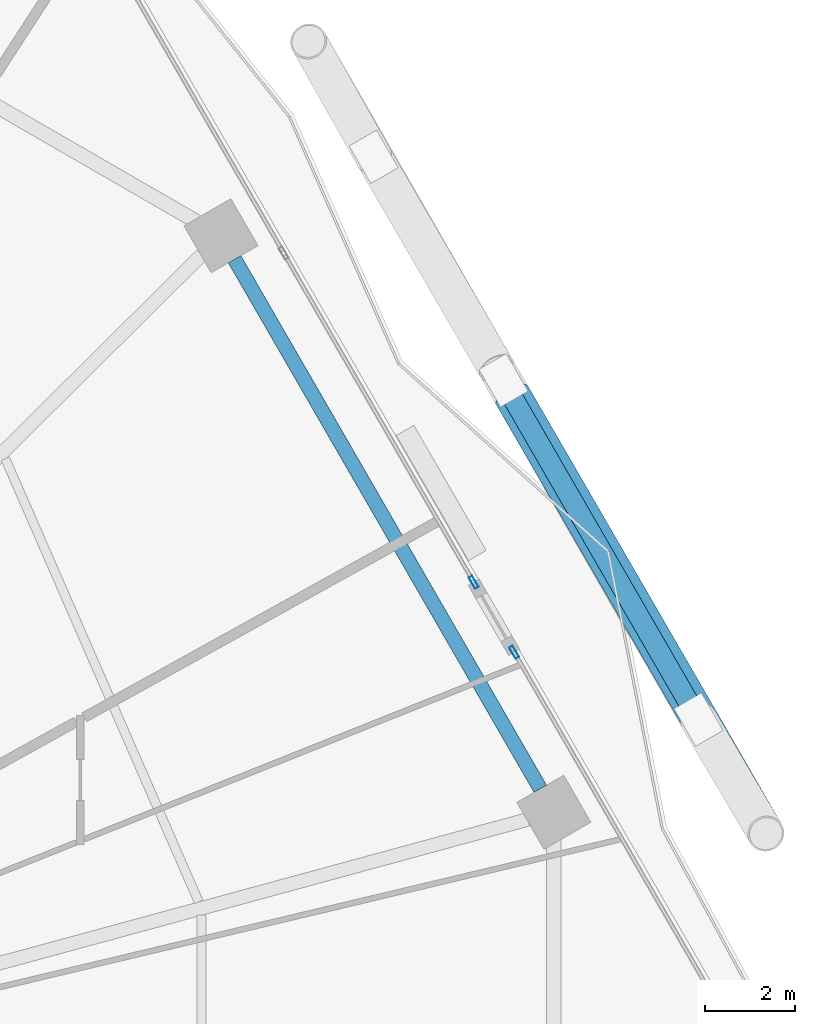
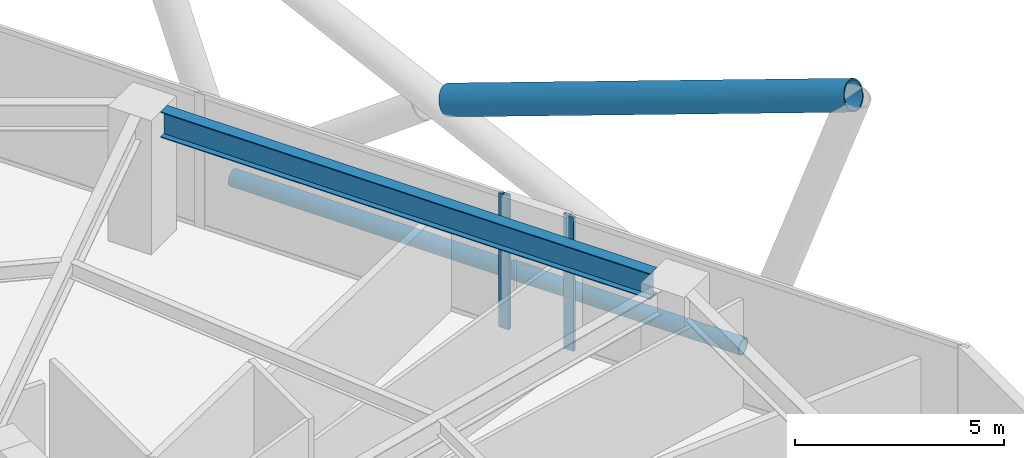
# One storey, part 19 of 30: 4 members, 1 beam, 2 elements without a shape of their own.
"""IFC4 building model written with IfcOpenShell, lengths in metres."""

import ifcopenshell
import ifcopenshell.guid

model = None  # the IFC model being written
_history = None  # IfcOwnerHistory: only IFC2X3 demands one
_inside = {}  # id of a spatial element -> (the spatial element, [elements in it])
_under = {}  # id of a project, library or spatial element -> (it, [spatial elements below it])
_declared = {}  # id of a project -> (the project, [libraries it declares])
_typed = {}  # id of a type object -> (the type object, [elements of that type])
_made_of = {}  # id of a material, layer set ... -> (it, [elements and type objects made of it])


def new_model(schema):
    """Start an empty IFC model of exactly this schema.

    Asked for "IFC4X3", IfcOpenShell would pick the latest addendum, in which some entities
    have other attributes; the version numbers below select the first issue.
    IFC2X3 requires an IfcOwnerHistory on every rooted entity: one is made here for all.
    """
    global model, _history
    if schema == "IFC4X3":
        model = ifcopenshell.file(schema_version=(4, 3, 0, 0))
    else:
        model = ifcopenshell.file(schema=schema)
    _inside.clear()
    _under.clear()
    _declared.clear()
    _typed.clear()
    _made_of.clear()
    _history = None
    if model.schema == "IFC2X3":
        org = make("IfcOrganization", Name="unknown")
        user = make(
            "IfcPersonAndOrganization",
            ThePerson=make("IfcPerson", FamilyName="unknown"),
            TheOrganization=org,
        )
        app = make(
            "IfcApplication",
            ApplicationDeveloper=org,
            Version="unknown",
            ApplicationFullName="unknown",
            ApplicationIdentifier="unknown",
        )
        _history = make(
            "IfcOwnerHistory",
            OwningUser=user,
            OwningApplication=app,
            ChangeAction="ADDED",
            CreationDate=0,
        )
    return model


def make(cls, **values):
    """One entity of the class cls with the attributes given. An attribute that is None is left unset."""
    return model.create_entity(
        cls, **{name: value for name, value in values.items() if value is not None}
    )


def rooted(cls, **values):
    """An entity with a GlobalId (a new one), such as an element, a storey or a relation."""
    return make(cls, GlobalId=ifcopenshell.guid.new(), OwnerHistory=_history, **values)


def si_unit(unit_type, name, prefix=None):
    """IfcSIUnit, for example si_unit("LENGTHUNIT", "METRE", prefix="MILLI")."""
    return make("IfcSIUnit", UnitType=unit_type, Prefix=prefix, Name=name)


def assignment(units):
    """IfcUnitAssignment: the units of a project."""
    return None if units is None else make("IfcUnitAssignment", Units=units)


def point(xyz):
    """IfcCartesianPoint."""
    return None if xyz is None else make("IfcCartesianPoint", Coordinates=xyz)


def direction(xyz):
    """IfcDirection."""
    return None if xyz is None else make("IfcDirection", DirectionRatios=xyz)


def frame(location, z_axis=None, x_axis=None):
    """IfcAxis2Placement3D, a coordinate frame: its origin and axes. An axis left out is left unset."""
    return make(
        "IfcAxis2Placement3D",
        Location=point(location),
        Axis=direction(z_axis),
        RefDirection=direction(x_axis),
    )


def frame_2d(location, x_axis=None):
    """IfcAxis2Placement2D, a coordinate frame in the plane: its origin and x axis."""
    return make(
        "IfcAxis2Placement2D", Location=point(location), RefDirection=direction(x_axis)
    )


def origin():
    """The frame at (0, 0, 0) with its axes left unset."""
    return frame((0.0, 0.0, 0.0))


def origin_2d():
    """The frame at (0, 0) in the plane with its x axis left unset."""
    return frame_2d((0.0, 0.0))


def place(relative_to, where):
    """IfcLocalPlacement: puts the frame where relative to a parent placement (None: the world)."""
    return make(
        "IfcLocalPlacement", PlacementRelTo=relative_to, RelativePlacement=where
    )


def context(
    kind, dimensions, precision=None, world=None, true_north=None, identifier=None
):
    """IfcGeometricRepresentationContext, for example the 3D "Model" context."""
    return make(
        "IfcGeometricRepresentationContext",
        ContextIdentifier=identifier,
        ContextType=kind,
        CoordinateSpaceDimension=dimensions,
        Precision=precision,
        WorldCoordinateSystem=world,
        TrueNorth=true_north,
    )


def subcontext(parent, identifier, kind, view, scale=None):
    """IfcGeometricRepresentationSubContext, for example "Body" below "Model"."""
    return make(
        "IfcGeometricRepresentationSubContext",
        ContextIdentifier=identifier,
        ContextType=kind,
        ParentContext=parent,
        TargetScale=scale,
        TargetView=view,
    )


def project(units=None, contexts=None):
    """IfcProject with its units and contexts."""
    return rooted(
        "IfcProject",
        Name="project",
        RepresentationContexts=contexts,
        UnitsInContext=assignment(units),
    )


def spatial(cls, under=None, at=None, **own):
    """A site, building, storey or space (cls), placed at a placement, below another one or the project."""
    s = rooted(cls, ObjectPlacement=at, **own)
    if under is not None:
        _under.setdefault(under.id(), (under, []))[1].append(s)
    return s


def profile(cls, at=None, kind="AREA", **sizes):
    """A parametric profile (cls). Its sizes go by their IFC names, for example OverallWidth=200.0."""
    return make(cls, ProfileType=kind, Position=at, **sizes)


def hollow_rectangle(**sizes):
    """IfcRectangleHollowProfileDef."""
    return profile("IfcRectangleHollowProfileDef", **sizes)


def hollow_circle(**sizes):
    """IfcCircleHollowProfileDef."""
    return profile("IfcCircleHollowProfileDef", **sizes)


def i_section(**sizes):
    """IfcIShapeProfileDef."""
    return profile("IfcIShapeProfileDef", **sizes)


def extrude(swept, where, along, depth):
    """IfcExtrudedAreaSolid: the profile swept, set in the frame where, extruded along a direction by depth."""
    return make(
        "IfcExtrudedAreaSolid",
        SweptArea=swept,
        Position=where,
        ExtrudedDirection=direction(along),
        Depth=depth,
    )


def shape(context_of_items, identifier, shape_type, items):
    """IfcShapeRepresentation: the items that make up one representation, for example the "Body"."""
    return make(
        "IfcShapeRepresentation",
        ContextOfItems=context_of_items,
        RepresentationIdentifier=identifier,
        RepresentationType=shape_type,
        Items=items,
    )


def material(Name=None, Category=None):
    """IfcMaterial."""
    return make("IfcMaterial", Name=Name, Category=Category)


def material_profile(
    of_material, cross_section, Name=None, Category=None, Priority=None
):
    """IfcMaterialProfile: a cross section and its material."""
    return make(
        "IfcMaterialProfile",
        Name=Name,
        Material=of_material,
        Profile=cross_section,
        Priority=Priority,
        Category=Category,
    )


def profile_set(profiles, Name=None, composite=None):
    """IfcMaterialProfileSet."""
    return make(
        "IfcMaterialProfileSet",
        Name=Name,
        MaterialProfiles=profiles,
        CompositeProfile=composite,
    )


def made_of(thing, what):
    """Note that an element or type object is made of a material, layer set ...; save() writes the relation."""
    if what is not None:
        _made_of.setdefault(what.id(), (what, []))[1].append(thing)
    return thing


def type_object(cls, material=None, **own):
    """A type object (cls), such as IfcWallType, which elements share."""
    return made_of(rooted(cls, **own), material)


def element(
    cls,
    number,
    at=None,
    inside=None,
    cuts=None,
    type_object=None,
    material=None,
    context=None,
    identifier="Body",
    shape_type=None,
    held_by="IfcProductDefinitionShape",
    body=None,
    shapes=None,
    **own,
):
    """One element of the class cls, such as IfcWall. Its Tag is "e" and its number.

    at: its placement. inside: the storey or other place that contains it. cuts: it is an
    opening in that element (IfcRelVoidsElement). A single representation is given by context,
    identifier, shape_type and body (its items); several are given by shapes. held_by: the class
    of the entity that holds the representations. save() writes the other relations.
    """
    e = rooted(cls, Tag="e%d" % number, ObjectPlacement=at, **own)
    if body is not None:
        shapes = [shape(context, identifier, shape_type, body)]
    if shapes is not None:
        e.Representation = make(held_by, Representations=shapes)
    if inside is not None:
        _inside.setdefault(inside.id(), (inside, []))[1].append(e)
    if cuts is not None:
        rooted(
            "IfcRelVoidsElement", RelatingBuildingElement=cuts, RelatedOpeningElement=e
        )
    if type_object is not None:
        _typed.setdefault(type_object.id(), (type_object, []))[1].append(e)
    return made_of(e, material)


def aggregate(whole, parts):
    """IfcRelAggregates: a whole, such as a stair, and the parts it consists of."""
    return rooted("IfcRelAggregates", RelatingObject=whole, RelatedObjects=parts)


def save(model, path):
    """Write the relations noted so far, then the file.

    IfcRelAggregates (storeys below a building ...), IfcRelContainedInSpatialStructure (elements
    in a storey), IfcRelDefinesByType, IfcRelAssociatesMaterial and IfcRelDeclares: one each for
    every whole, place, type object, material and project.
    """
    for whole, parts in _under.values():
        aggregate(whole, parts)
    for where, things in _inside.values():
        rooted(
            "IfcRelContainedInSpatialStructure",
            RelatedElements=things,
            RelatingStructure=where,
        )
    for kind, things in _typed.values():
        rooted("IfcRelDefinesByType", RelatedObjects=things, RelatingType=kind)
    for what, things in _made_of.values():
        rooted("IfcRelAssociatesMaterial", RelatedObjects=things, RelatingMaterial=what)
    for by, libraries in _declared.values():
        rooted("IfcRelDeclares", RelatingContext=by, RelatedDefinitions=libraries)
    model.write(path)


model = new_model("IFC4")

# Units and contexts
model_context = context("Model", 3, precision=1e-05, world=origin(), true_north=direction((0.0, 1.0)))
body_context = subcontext(model_context, "Body", "Model", "MODEL_VIEW")
ifc_project = project(units=[si_unit("LENGTHUNIT", "METRE"), si_unit("AREAUNIT", "SQUARE_METRE"), si_unit("VOLUMEUNIT", "CUBIC_METRE"), si_unit("PLANEANGLEUNIT", "RADIAN"), si_unit("MASSUNIT", "GRAM", prefix="KILO")], contexts=[model_context])

# Site, building, storey
site_placement = place(None, origin())
site = spatial("IfcSite", under=ifc_project, at=site_placement, CompositionType="ELEMENT")
building_placement = place(site_placement, origin())
building = spatial("IfcBuilding", under=site, at=building_placement, Name="Zuhravey Tower", CompositionType="ELEMENT")
storey_placement = place(building_placement, frame((0.0, 0.0, 16.199951171875)))
storey = spatial("IfcBuildingStorey", under=building, at=storey_placement, Name="L04", CompositionType="ELEMENT", Elevation=16.199951171875)

# Curtain wall, member
ifc_material_1 = material(Name="Thermally broken anodised aluminium", Category="aluminium")
curtain_wall_type = type_object("IfcCurtainWallType", Name="School Low-E Unitised Curtain Wall CW1", PredefinedType="NOTDEFINED", material=ifc_material_1)
curtain_wall_1_placement = place(storey_placement, origin())
curtain_wall_1 = element("IfcCurtainWall", 1, at=curtain_wall_1_placement, inside=storey, type_object=curtain_wall_type, Name="L04 CW1 CW-L04-F1-1", PredefinedType="NOTDEFINED")
ifc_material_2 = material(Name="Anodised aluminium", Category="aluminium")
ifc_material_profile_1 = material_profile(ifc_material_2, hollow_rectangle(XDim=0.090087890625, YDim=0.284912109375, WallThickness=0.0048828125, at=origin_2d()), Name="ALU-RHS-90x285x5")
ifc_profile_set_1 = profile_set([ifc_material_profile_1], Name="Anodised aluminium")
member_type_1 = type_object("IfcMemberType", Name="Curtain-Wall Mullion 90x180", PredefinedType="MULLION", material=ifc_profile_set_1)
member_1_placement = place(storey_placement, frame((62.114013671875, 44.68603515625, 0.0), z_axis=(0.0, 0.0, 1.0), x_axis=(0.866025508574, 0.499999818499, 0.0)))
member_1 = element("IfcMember", 2, at=member_1_placement, type_object=member_type_1, Name="CW1 mullion 3", PredefinedType="MULLION", context=body_context, shape_type="SweptSolid", body=[
    extrude(hollow_rectangle(XDim=0.090087890625, YDim=0.284912109375, WallThickness=0.0048828125, at=origin_2d()), origin(), (0.0, 0.0, 1.0), 3.920166015625),
])
aggregate(curtain_wall_1, [member_1])

curtain_wall_2_placement = place(storey_placement, origin())
curtain_wall_2 = element("IfcCurtainWall", 3, at=curtain_wall_2_placement, inside=storey, type_object=curtain_wall_type, Name="L04 CW1 CW-L04-F1-2", PredefinedType="NOTDEFINED")
member_2_placement = place(storey_placement, frame((63.009033203125, 43.1357421875, 0.0), z_axis=(0.0, 0.0, 1.0), x_axis=(0.866026545681, 0.499998022171, 0.0)))
member_2 = element("IfcMember", 4, at=member_2_placement, type_object=member_type_1, Name="CW1 mullion 1", PredefinedType="MULLION", context=body_context, shape_type="SweptSolid", body=[
    extrude(hollow_rectangle(XDim=0.090087890625, YDim=0.284912109375, WallThickness=0.0048828125, at=origin_2d()), origin(), (0.0, 0.0, 1.0), 3.920166015625),
])
aggregate(curtain_wall_2, [member_2])

# Members
ifc_material_3 = material(Name="Steel SM355", Category="steel")
ifc_material_profile_2 = material_profile(ifc_material_3, hollow_circle(Radius=0.228515625, WallThickness=0.02197265625, at=origin_2d()), Name="CHS-457.2x22")
ifc_profile_set_2 = profile_set([ifc_material_profile_2], Name="Steel SM355")
member_type_2 = type_object("IfcMemberType", Name="Exoskeleton Ring Tie CHS457x22", PredefinedType="CHORD", material=ifc_profile_set_2)
member_3_placement = place(storey_placement, frame((67.02197265625, 41.765380859375, -0.493896484375), z_axis=(-0.500001078923, 0.866024780867, 0.0), x_axis=(-0.866024780867, -0.500001078923, 0.0)))
element("IfcMember", 5, at=member_3_placement, inside=storey, type_object=member_type_2, Name="L04 Exoskeleton Face 1 Tie EXR1", PredefinedType="CHORD", context=body_context, shape_type="SweptSolid", body=[
    extrude(hollow_circle(Radius=0.228515625, WallThickness=0.02197265625, at=origin_2d()), origin(), (0.0, 0.0, 1.0), 14.10791015625),
])
ifc_material_4 = material(Name="Steel SM460", Category="steel")
ifc_material_profile_3 = material_profile(ifc_material_4, hollow_circle(Radius=0.406494140625, WallThickness=0.035888671875, at=origin_2d()), Name="CHS-812.8x36")
ifc_profile_set_3 = profile_set([ifc_material_profile_3], Name="Steel SM460")
member_type_3 = type_object("IfcMemberType", Name="Exoskeleton Zone 1 Diagrid CHS813x36", PredefinedType="BRACE", material=ifc_profile_set_3)
member_4_placement = place(storey_placement, frame((62.958984375, 48.83349609375, 3.841064453125), z_axis=(0.471219338918, -0.813758287906, 0.340220198539), x_axis=(0.865381959658, 0.501112825518, 0.0)))
element("IfcMember", 6, at=member_4_placement, inside=storey, type_object=member_type_3, Name="L04 Face 1 Split Diagrid Brace 3B", PredefinedType="BRACE", context=body_context, shape_type="SweptSolid", body=[
    extrude(hollow_circle(Radius=0.406494140625, WallThickness=0.035888671875, at=origin_2d()), origin(), (0.0, 0.0, 1.0), 11.897705078125),
])

# Beam
ifc_material_profile_4 = material_profile(ifc_material_3, i_section(OverallWidth=0.320068359375, OverallDepth=0.75, WebThickness=0.013916015625, FlangeThickness=0.02490234375, at=origin_2d()), Name="H-750x320x14x25")
ifc_profile_set_4 = profile_set([ifc_material_profile_4], Name="Steel SM355")
beam_type = type_object("IfcBeamType", Name="Perimeter Ring Beam H750x320", PredefinedType="BEAM", material=ifc_profile_set_4)
beam_placement = place(storey_placement, frame((63.587646484375, 40.11376953125, 3.545166015625), z_axis=(-0.499999877243, 0.866025474658, 0.0), x_axis=(-0.866025474658, -0.499999877243, 0.0)))
element("IfcBeam", 7, at=beam_placement, inside=storey, type_object=beam_type, Name="L04 PB1 BM-L04-PB-01", PredefinedType="BEAM", context=body_context, shape_type="SweptSolid", body=[
    extrude(i_section(OverallWidth=0.320068359375, OverallDepth=0.75, WebThickness=0.013916015625, FlangeThickness=0.02490234375, at=origin_2d()), origin(), (0.0, 0.0, 1.0), 13.5341796875),
])

save(model, "model.ifc")
